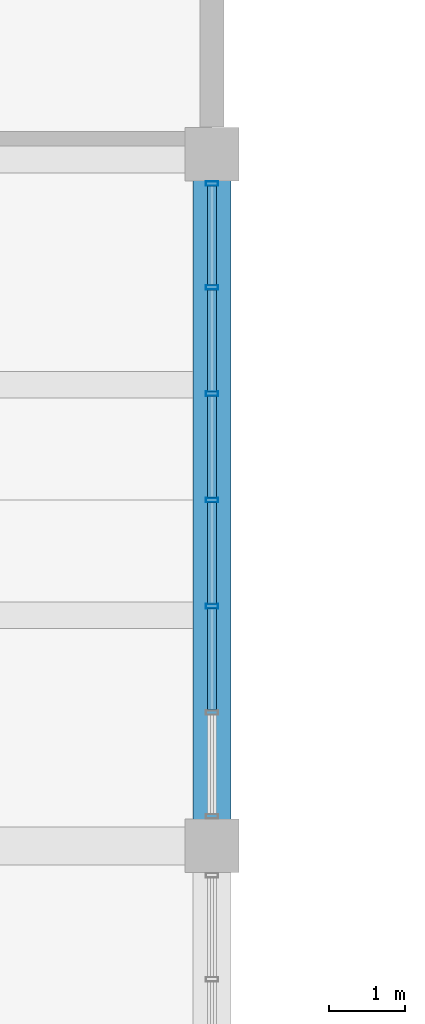
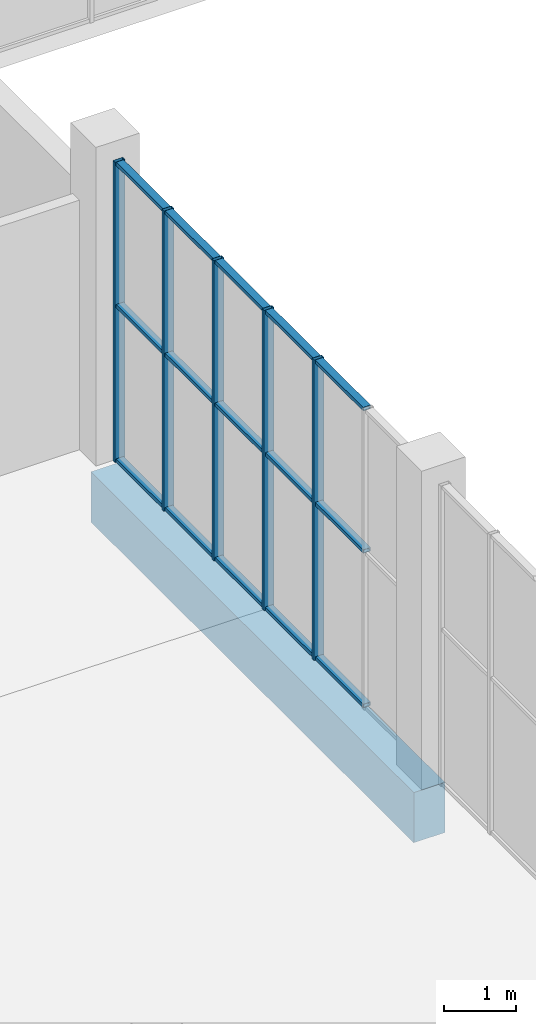
# One storey, part 36 of 91: 20 members, 1 beam, 1 element without a shape of its own.
"""IFC4 building model written with IfcOpenShell, lengths in metres."""

from ifc_helpers import new_model, si_unit, direction, frame, origin, origin_2d, place, context, subcontext, project, spatial, rectangle, hollow_rectangle, extrude, material, material_profile, profile_set, type_object, element, aggregate, save


model = new_model("IFC4")

# Units and contexts
model_context = context("Model", 3, precision=1e-05, world=origin(), true_north=direction((0.0, 1.0)))
body_context = subcontext(model_context, "Body", "Model", "MODEL_VIEW")
ifc_project = project(units=[si_unit("LENGTHUNIT", "METRE"), si_unit("AREAUNIT", "SQUARE_METRE"), si_unit("VOLUMEUNIT", "CUBIC_METRE"), si_unit("PLANEANGLEUNIT", "RADIAN"), si_unit("MASSUNIT", "GRAM", prefix="KILO")], contexts=[model_context])

# Site, building, storey
site_placement = place(None, origin())
site = spatial("IfcSite", under=ifc_project, at=site_placement, CompositionType="ELEMENT")
building_placement = place(site_placement, origin())
building = spatial("IfcBuilding", under=site, at=building_placement, Name="Khurvash Pelagic Aquarium", CompositionType="ELEMENT")
storey_placement = place(building_placement, origin())
storey = spatial("IfcBuildingStorey", under=building, at=storey_placement, Name="L00", CompositionType="ELEMENT", Elevation=0.0)

# Curtain wall, members
ifc_material_1 = material(Name="Anodised aluminium and low-E laminated glass", Category="aluminium")
curtain_wall_type = type_object("IfcCurtainWallType", Name="CW-05", PredefinedType="USERDEFINED", material=ifc_material_1)
curtain_wall_placement = place(storey_placement, origin())
curtain_wall = element("IfcCurtainWall", 1, at=curtain_wall_placement, inside=storey, type_object=curtain_wall_type, Name="L00 Facade Unitised Curtain Wall CW-05 0079", ObjectType="UNITISED CURTAIN WALL", PredefinedType="USERDEFINED")
ifc_material_2 = material(Name="Extruded aluminium AW-6063-T6", Category="aluminium")
ifc_material_profile_1 = material_profile(ifc_material_2, hollow_rectangle(XDim=0.06005859375, YDim=0.159912109375, WallThickness=0.00390625, at=origin_2d()), Name="CWM60X160X4")
ifc_profile_set_1 = profile_set([ifc_material_profile_1], Name="Extruded aluminium AW-6063-T6")
member_type_1 = type_object("IfcMemberType", Name="CM-02", PredefinedType="MULLION", material=ifc_profile_set_1)
member_1_placement = place(storey_placement, frame((33.60009765625, 78.135009765625, 0.0), z_axis=(0.0, 0.0, 1.0), x_axis=(0.0, 1.0, 0.0)))
member_1 = element("IfcMember", 2, at=member_1_placement, type_object=member_type_1, Name="CW-05 mullion 3", PredefinedType="MULLION", context=body_context, shape_type="SweptSolid", body=[
    extrude(hollow_rectangle(XDim=0.06005859375, YDim=0.159912109375, WallThickness=0.00390625, at=origin_2d()), origin(), (0.0, 0.0, 1.0), 5.090087890625),
])
member_2_placement = place(storey_placement, frame((33.60009765625, 79.52490234375, 0.0), z_axis=(0.0, 0.0, 1.0), x_axis=(0.0, 1.0, 0.0)))
member_2 = element("IfcMember", 3, at=member_2_placement, type_object=member_type_1, Name="CW-05 mullion 4", PredefinedType="MULLION", context=body_context, shape_type="SweptSolid", body=[
    extrude(hollow_rectangle(XDim=0.06005859375, YDim=0.159912109375, WallThickness=0.00390625, at=origin_2d()), origin(), (0.0, 0.0, 1.0), 5.090087890625),
])
member_3_placement = place(storey_placement, frame((33.60009765625, 80.9150390625, 0.0), z_axis=(0.0, 0.0, 1.0), x_axis=(0.0, 1.0, 0.0)))
member_3 = element("IfcMember", 4, at=member_3_placement, type_object=member_type_1, Name="CW-05 mullion 5", PredefinedType="MULLION", context=body_context, shape_type="SweptSolid", body=[
    extrude(hollow_rectangle(XDim=0.06005859375, YDim=0.159912109375, WallThickness=0.00390625, at=origin_2d()), origin(), (0.0, 0.0, 1.0), 5.090087890625),
])
member_4_placement = place(storey_placement, frame((33.60009765625, 82.304931640625, 0.0), z_axis=(0.0, 0.0, 1.0), x_axis=(0.0, 1.0, 0.0)))
member_4 = element("IfcMember", 5, at=member_4_placement, type_object=member_type_1, Name="CW-05 mullion 6", PredefinedType="MULLION", context=body_context, shape_type="SweptSolid", body=[
    extrude(hollow_rectangle(XDim=0.06005859375, YDim=0.159912109375, WallThickness=0.00390625, at=origin_2d()), origin(), (0.0, 0.0, 1.0), 5.090087890625),
])
member_5_placement = place(storey_placement, frame((33.60009765625, 83.6650390625, 0.0), z_axis=(0.0, 0.0, 1.0), x_axis=(0.0, 1.0, 0.0)))
member_5 = element("IfcMember", 6, at=member_5_placement, type_object=member_type_1, Name="CW-05 mullion 7", PredefinedType="MULLION", context=body_context, shape_type="SweptSolid", body=[
    extrude(hollow_rectangle(XDim=0.06005859375, YDim=0.159912109375, WallThickness=0.00390625, at=origin_2d()), origin(), (0.0, 0.0, 1.0), 5.090087890625),
])
ifc_material_profile_2 = material_profile(ifc_material_2, hollow_rectangle(XDim=0.1201171875, YDim=0.06005859375, WallThickness=0.00390625, at=origin_2d()), Name="CWT120X60X4")
ifc_profile_set_2 = profile_set([ifc_material_profile_2], Name="Extruded aluminium AW-6063-T6")
member_type_2 = type_object("IfcMemberType", Name="CT-02", PredefinedType="USERDEFINED", material=ifc_profile_set_2)
member_6_placement = place(storey_placement, frame((33.60009765625, 76.77490234375, 0.030029296875), z_axis=(0.0, 1.0, 0.0), x_axis=(-1.0, 0.0, 0.0)))
member_6 = element("IfcMember", 7, at=member_6_placement, type_object=member_type_2, Name="CW-05 transom 2.1", ObjectType="TRANSOM", PredefinedType="USERDEFINED", context=body_context, shape_type="SweptSolid", body=[
    extrude(hollow_rectangle(XDim=0.1201171875, YDim=0.06005859375, WallThickness=0.00390625, at=origin_2d()), origin(), (0.0, 0.0, 1.0), 1.330078125),
])
member_7_placement = place(storey_placement, frame((33.60009765625, 76.77490234375, 2.64697265625), z_axis=(0.0, 1.0, 0.0), x_axis=(-1.0, 0.0, 0.0)))
member_7 = element("IfcMember", 8, at=member_7_placement, type_object=member_type_2, Name="CW-05 transom 2.2", ObjectType="TRANSOM", PredefinedType="USERDEFINED", context=body_context, shape_type="SweptSolid", body=[
    extrude(hollow_rectangle(XDim=0.1201171875, YDim=0.06005859375, WallThickness=0.00390625, at=origin_2d()), origin(), (0.0, 0.0, 1.0), 1.330078125),
])
member_8_placement = place(storey_placement, frame((33.60009765625, 76.77490234375, 5.06005859375), z_axis=(0.0, 1.0, 0.0), x_axis=(-1.0, 0.0, 0.0)))
member_8 = element("IfcMember", 9, at=member_8_placement, type_object=member_type_2, Name="CW-05 transom 2.3", ObjectType="TRANSOM", PredefinedType="USERDEFINED", context=body_context, shape_type="SweptSolid", body=[
    extrude(hollow_rectangle(XDim=0.1201171875, YDim=0.06005859375, WallThickness=0.00390625, at=origin_2d()), origin(), (0.0, 0.0, 1.0), 1.330078125),
])
member_9_placement = place(storey_placement, frame((33.60009765625, 78.1650390625, 0.030029296875), z_axis=(0.0, 1.0, 0.0), x_axis=(-1.0, 0.0, 0.0)))
member_9 = element("IfcMember", 10, at=member_9_placement, type_object=member_type_2, Name="CW-05 transom 3.1", ObjectType="TRANSOM", PredefinedType="USERDEFINED", context=body_context, shape_type="SweptSolid", body=[
    extrude(hollow_rectangle(XDim=0.1201171875, YDim=0.06005859375, WallThickness=0.00390625, at=origin_2d()), origin(), (0.0, 0.0, 1.0), 1.330078125),
])
member_10_placement = place(storey_placement, frame((33.60009765625, 78.1650390625, 2.64697265625), z_axis=(0.0, 1.0, 0.0), x_axis=(-1.0, 0.0, 0.0)))
member_10 = element("IfcMember", 11, at=member_10_placement, type_object=member_type_2, Name="CW-05 transom 3.2", ObjectType="TRANSOM", PredefinedType="USERDEFINED", context=body_context, shape_type="SweptSolid", body=[
    extrude(hollow_rectangle(XDim=0.1201171875, YDim=0.06005859375, WallThickness=0.00390625, at=origin_2d()), origin(), (0.0, 0.0, 1.0), 1.330078125),
])
member_11_placement = place(storey_placement, frame((33.60009765625, 78.1650390625, 5.06005859375), z_axis=(0.0, 1.0, 0.0), x_axis=(-1.0, 0.0, 0.0)))
member_11 = element("IfcMember", 12, at=member_11_placement, type_object=member_type_2, Name="CW-05 transom 3.3", ObjectType="TRANSOM", PredefinedType="USERDEFINED", context=body_context, shape_type="SweptSolid", body=[
    extrude(hollow_rectangle(XDim=0.1201171875, YDim=0.06005859375, WallThickness=0.00390625, at=origin_2d()), origin(), (0.0, 0.0, 1.0), 1.330078125),
])
member_12_placement = place(storey_placement, frame((33.60009765625, 79.554931640625, 0.030029296875), z_axis=(0.0, 1.0, 0.0), x_axis=(-1.0, 0.0, 0.0)))
member_12 = element("IfcMember", 13, at=member_12_placement, type_object=member_type_2, Name="CW-05 transom 4.1", ObjectType="TRANSOM", PredefinedType="USERDEFINED", context=body_context, shape_type="SweptSolid", body=[
    extrude(hollow_rectangle(XDim=0.1201171875, YDim=0.06005859375, WallThickness=0.00390625, at=origin_2d()), origin(), (0.0, 0.0, 1.0), 1.330078125),
])
member_13_placement = place(storey_placement, frame((33.60009765625, 79.554931640625, 2.64697265625), z_axis=(0.0, 1.0, 0.0), x_axis=(-1.0, 0.0, 0.0)))
member_13 = element("IfcMember", 14, at=member_13_placement, type_object=member_type_2, Name="CW-05 transom 4.2", ObjectType="TRANSOM", PredefinedType="USERDEFINED", context=body_context, shape_type="SweptSolid", body=[
    extrude(hollow_rectangle(XDim=0.1201171875, YDim=0.06005859375, WallThickness=0.00390625, at=origin_2d()), origin(), (0.0, 0.0, 1.0), 1.330078125),
])
member_14_placement = place(storey_placement, frame((33.60009765625, 79.554931640625, 5.06005859375), z_axis=(0.0, 1.0, 0.0), x_axis=(-1.0, 0.0, 0.0)))
member_14 = element("IfcMember", 15, at=member_14_placement, type_object=member_type_2, Name="CW-05 transom 4.3", ObjectType="TRANSOM", PredefinedType="USERDEFINED", context=body_context, shape_type="SweptSolid", body=[
    extrude(hollow_rectangle(XDim=0.1201171875, YDim=0.06005859375, WallThickness=0.00390625, at=origin_2d()), origin(), (0.0, 0.0, 1.0), 1.330078125),
])
member_15_placement = place(storey_placement, frame((33.60009765625, 80.945068359375, 0.030029296875), z_axis=(0.0, 1.0, 0.0), x_axis=(-1.0, 0.0, 0.0)))
member_15 = element("IfcMember", 16, at=member_15_placement, type_object=member_type_2, Name="CW-05 transom 5.1", ObjectType="TRANSOM", PredefinedType="USERDEFINED", context=body_context, shape_type="SweptSolid", body=[
    extrude(hollow_rectangle(XDim=0.1201171875, YDim=0.06005859375, WallThickness=0.00390625, at=origin_2d()), origin(), (0.0, 0.0, 1.0), 1.329833984375),
])
member_16_placement = place(storey_placement, frame((33.60009765625, 80.945068359375, 2.64697265625), z_axis=(0.0, 1.0, 0.0), x_axis=(-1.0, 0.0, 0.0)))
member_16 = element("IfcMember", 17, at=member_16_placement, type_object=member_type_2, Name="CW-05 transom 5.2", ObjectType="TRANSOM", PredefinedType="USERDEFINED", context=body_context, shape_type="SweptSolid", body=[
    extrude(hollow_rectangle(XDim=0.1201171875, YDim=0.06005859375, WallThickness=0.00390625, at=origin_2d()), origin(), (0.0, 0.0, 1.0), 1.329833984375),
])
member_17_placement = place(storey_placement, frame((33.60009765625, 80.945068359375, 5.06005859375), z_axis=(0.0, 1.0, 0.0), x_axis=(-1.0, 0.0, 0.0)))
member_17 = element("IfcMember", 18, at=member_17_placement, type_object=member_type_2, Name="CW-05 transom 5.3", ObjectType="TRANSOM", PredefinedType="USERDEFINED", context=body_context, shape_type="SweptSolid", body=[
    extrude(hollow_rectangle(XDim=0.1201171875, YDim=0.06005859375, WallThickness=0.00390625, at=origin_2d()), origin(), (0.0, 0.0, 1.0), 1.329833984375),
])
member_18_placement = place(storey_placement, frame((33.60009765625, 82.3349609375, 0.030029296875), z_axis=(0.0, 1.0, 0.0), x_axis=(-1.0, 0.0, 0.0)))
member_18 = element("IfcMember", 19, at=member_18_placement, type_object=member_type_2, Name="CW-05 transom 6.1", ObjectType="TRANSOM", PredefinedType="USERDEFINED", context=body_context, shape_type="SweptSolid", body=[
    extrude(hollow_rectangle(XDim=0.1201171875, YDim=0.06005859375, WallThickness=0.00390625, at=origin_2d()), origin(), (0.0, 0.0, 1.0), 1.300048828125),
])
member_19_placement = place(storey_placement, frame((33.60009765625, 82.3349609375, 2.64697265625), z_axis=(0.0, 1.0, 0.0), x_axis=(-1.0, 0.0, 0.0)))
member_19 = element("IfcMember", 20, at=member_19_placement, type_object=member_type_2, Name="CW-05 transom 6.2", ObjectType="TRANSOM", PredefinedType="USERDEFINED", context=body_context, shape_type="SweptSolid", body=[
    extrude(hollow_rectangle(XDim=0.1201171875, YDim=0.06005859375, WallThickness=0.00390625, at=origin_2d()), origin(), (0.0, 0.0, 1.0), 1.300048828125),
])
member_20_placement = place(storey_placement, frame((33.60009765625, 82.3349609375, 5.06005859375), z_axis=(0.0, 1.0, 0.0), x_axis=(-1.0, 0.0, 0.0)))
member_20 = element("IfcMember", 21, at=member_20_placement, type_object=member_type_2, Name="CW-05 transom 6.3", ObjectType="TRANSOM", PredefinedType="USERDEFINED", context=body_context, shape_type="SweptSolid", body=[
    extrude(hollow_rectangle(XDim=0.1201171875, YDim=0.06005859375, WallThickness=0.00390625, at=origin_2d()), origin(), (0.0, 0.0, 1.0), 1.300048828125),
])
aggregate(curtain_wall, [member_1, member_2, member_3, member_4, member_5, member_6, member_7, member_8, member_9, member_10, member_11, member_12, member_13, member_14, member_15, member_16, member_17, member_18, member_19, member_20])

# Beam
ifc_material_3 = material(Name="Concrete C40/50", Category="concrete")
ifc_material_profile_3 = material_profile(ifc_material_3, rectangle(XDim=0.5, YDim=0.85009765625, at=origin_2d()), Name="RC500X850")
ifc_profile_set_3 = profile_set([ifc_material_profile_3], Name="Concrete C40/50")
beam_type = type_object("IfcBeamType", Name="SEB-03", PredefinedType="SPANDREL", material=ifc_profile_set_3)
beam_placement = place(storey_placement, frame((33.60009765625, 75.0400390625, -0.7451171875), z_axis=(0.0, 1.0, 0.0), x_axis=(-1.0, 0.0, 0.0)))
element("IfcBeam", 22, at=beam_placement, inside=storey, type_object=beam_type, Name="L00 Primary Girder SEB-03 00096", PredefinedType="SPANDREL", context=body_context, shape_type="SweptSolid", body=[
    extrude(rectangle(XDim=0.5, YDim=0.85009765625, at=origin_2d()), origin(), (0.0, 0.0, 1.0), 8.969970703125),
])

save(model, "model.ifc")
